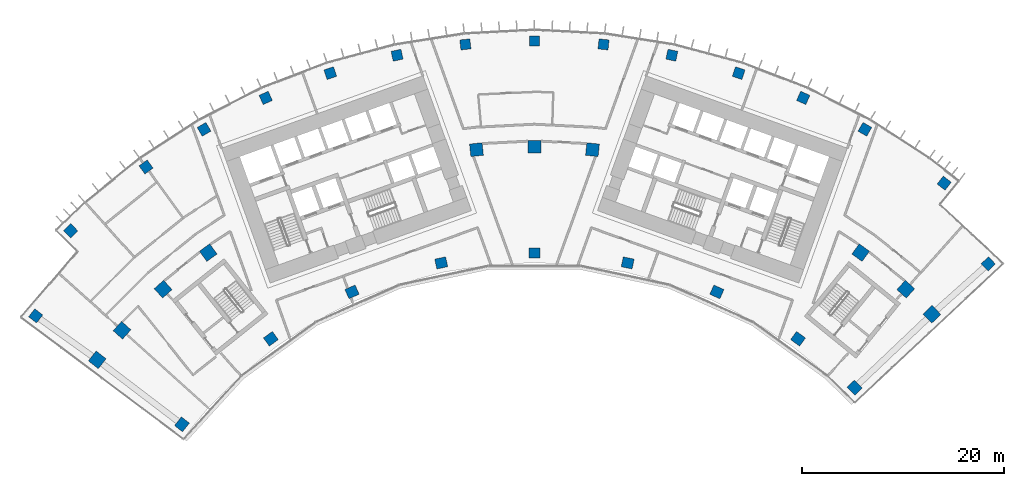
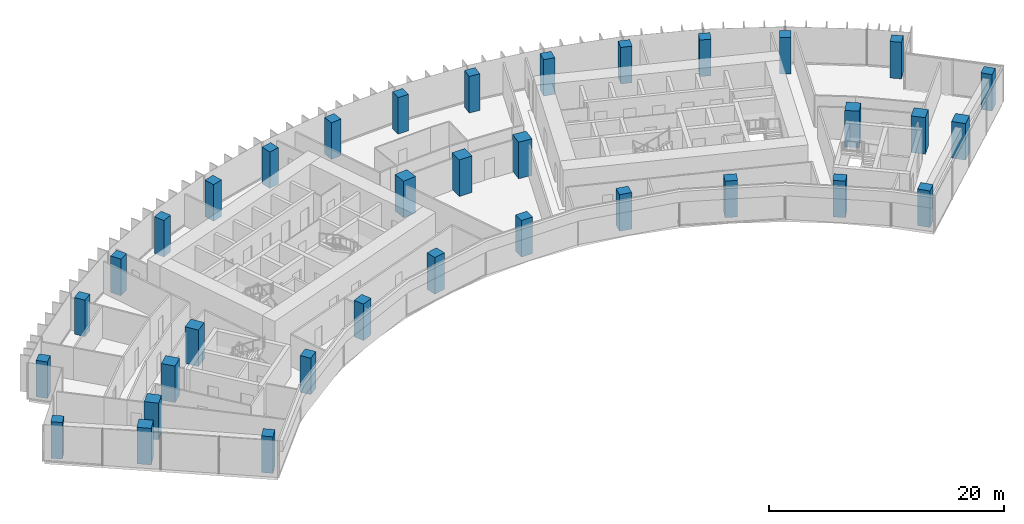
# One storey, part 1 of 21: 35 columns.
"""IFC4 building model written with IfcOpenShell, lengths in metres."""

from ifc_helpers import new_model, si_unit, direction, frame, origin, origin_2d, place, context, subcontext, project, spatial, rectangle, extrude, material, material_profile, profile_set, type_object, element, save


model = new_model("IFC4")

# Units and contexts
model_context = context("Model", 3, precision=1e-05, world=origin(), true_north=direction((0.0, 1.0)))
body_context = subcontext(model_context, "Body", "Model", "MODEL_VIEW")
ifc_project = project(units=[si_unit("LENGTHUNIT", "METRE"), si_unit("AREAUNIT", "SQUARE_METRE"), si_unit("VOLUMEUNIT", "CUBIC_METRE"), si_unit("PLANEANGLEUNIT", "RADIAN"), si_unit("MASSUNIT", "GRAM", prefix="KILO")], contexts=[model_context])

# Site, building, storey
site_placement = place(None, origin())
site = spatial("IfcSite", under=ifc_project, at=site_placement, CompositionType="ELEMENT")
building_placement = place(site_placement, origin())
building = spatial("IfcBuilding", under=site, at=building_placement, Name="Stone Belt Terrace Tower", CompositionType="ELEMENT")
storey_placement = place(building_placement, frame((0.0, 0.0, 189.60009765625)))
storey = spatial("IfcBuildingStorey", under=building, at=storey_placement, Name="L46", CompositionType="ELEMENT", Elevation=189.60009765625)

# Columns
ifc_material = material(Name="Concrete B80", Category="concrete")
ifc_material_profile_1 = material_profile(ifc_material, rectangle(XDim=1.0, YDim=1.0, at=origin_2d()), Name="RC 1000x1000")
ifc_profile_set_1 = profile_set([ifc_material_profile_1], Name="Concrete B80")
column_type_1 = type_object("IfcColumnType", Name="Column RC 1000x1000 B80", PredefinedType="COLUMN", material=ifc_profile_set_1)
for number, where, z_axis, x_axis, name in (
    (1, (-49.432861328125, 38.226318359375, 0.0), (0.0, 0.0, 1.0), (0.611730019057, 0.791066611472, 0.0), "Column L46 RA"),
    (2, (44.97705078125, 43.381103515625, 0.0), (0.0, 0.0, 1.0), (0.694221333646, -0.719761585465, 0.0), "Column L46 RB"),
    (3, (-45.95849609375, 46.654296875, 0.0), (0.0, 0.0, 1.0), (0.712398494182, 0.701775167334, 0.0), "Column L46 RNA"),
    (4, (-38.493408203125, 52.981689453125, 0.0), (0.0, 0.0, 1.0), (0.809016994375, 0.587785252292, 0.0), "Column L46 R16"),
    (5, (-32.744384765625, 56.715087890625, 0.0), (0.0, 0.0, 1.0), (0.866025403784, 0.5, 0.0), "Column L46 R17"),
    (6, (-26.63671875, 59.8271484375, 0.0), (0.0, 0.0, 1.0), (0.913545457643, 0.406736643076, 0.0), "Column L46 R18"),
    (7, (-20.2373046875, 62.28369140625, 0.0), (0.0, 0.0, 1.0), (0.951056516295, 0.309016994375, 0.0), "Column L46 R19"),
    (8, (-13.615966796875, 64.057861328125, 0.0), (0.0, 0.0, 1.0), (0.978147600734, 0.207911690818, 0.0), "Column L46 R20"),
    (9, (-6.845458984375, 65.130126953125, 0.0), (0.0, 0.0, 1.0), (0.994521895368, 0.104528463268, 0.0), "Column L46 R21"),
    (10, (0.0, 65.489013671875, 0.0), (0.0, 0.0, 1.0), (1.0, 0.0, 0.0), "Column L46 R22"),
    (11, (6.845458984375, 65.130126953125, 0.0), (0.0, 0.0, 1.0), (0.994521895368, -0.104528463268, 0.0), "Column L46 R23"),
    (12, (13.615966796875, 64.057861328125, 0.0), (0.0, 0.0, 1.0), (0.978147600734, -0.207911690818, 0.0), "Column L46 R24"),
    (13, (20.2373046875, 62.28369140625, 0.0), (0.0, 0.0, 1.0), (0.951056516295, -0.309016994375, 0.0), "Column L46 R25"),
    (14, (26.63671875, 59.8271484375, 0.0), (0.0, 0.0, 1.0), (0.913545457643, -0.406736643076, 0.0), "Column L46 R26"),
    (15, (32.744384765625, 56.715087890625, 0.0), (0.0, 0.0, 1.0), (0.866025403784, -0.5, 0.0), "Column L46 R27"),
    (16, (40.605712890625, 51.380615234375, 0.0), (0.0, 0.0, 1.0), (0.784569718703, -0.620040608746, 0.0), "Column L46 RNB"),
):
    element("IfcColumn", number, at=place(storey_placement, frame(where, z_axis=z_axis, x_axis=x_axis)), inside=storey, type_object=column_type_1, Name=name, PredefinedType="COLUMN", context=body_context, shape_type="SweptSolid", body=[
        extrude(rectangle(XDim=1.0, YDim=1.0, at=origin_2d()), origin(), (0.0, 0.0, 1.0), 3.7998046875),
    ])
ifc_material_profile_2 = material_profile(ifc_material, rectangle(XDim=1.10009765625, YDim=1.0, at=origin_2d()), Name="RC 1100x1000")
ifc_profile_set_2 = profile_set([ifc_material_profile_2], Name="Concrete B80")
column_type_2 = type_object("IfcColumnType", Name="Column RC 1100x1000 B80", PredefinedType="COLUMN", material=ifc_profile_set_2)
for number, where, z_axis, x_axis, name in (
    (17, (-34.93408203125, 27.476806640625, 0.0), (0.0, 0.0, 1.0), (0.618217727677, 0.786006896399, 0.0), "Column L46 PA"),
    (18, (-26.1240234375, 35.956787109375, 0.0), (0.0, 0.0, 1.0), (0.809016994375, 0.587785252292, 0.0), "Column L46 P16"),
    (19, (-18.077392578125, 40.6025390625, 0.0), (0.0, 0.0, 1.0), (0.913545457643, 0.406736643076, 0.0), "Column L46 P18"),
    (20, (-9.240478515625, 43.473876953125, 0.0), (0.0, 0.0, 1.0), (0.978147600734, 0.207911690818, 0.0), "Column L46 P20"),
    (21, (0.0, 44.445068359375, 0.0), (0.0, 0.0, 1.0), (1.0, 0.0, 0.0), "Column L46 P22"),
    (22, (9.240478515625, 43.473876953125, 0.0), (0.0, 0.0, 1.0), (0.978147600734, -0.207911690818, 0.0), "Column L46 P24"),
    (23, (18.077392578125, 40.6025390625, 0.0), (0.0, 0.0, 1.0), (0.913545457643, -0.406736643076, 0.0), "Column L46 P26"),
    (24, (26.1240234375, 35.956787109375, 0.0), (0.0, 0.0, 1.0), (0.809016994375, -0.587785252292, 0.0), "Column L46 P28"),
    (25, (31.73486328125, 31.11669921875, 0.0), (0.0, 0.0, 1.0), (0.700119596097, -0.714025595592, 0.0), "Column L46 PB"),
):
    element("IfcColumn", number, at=place(storey_placement, frame(where, z_axis=z_axis, x_axis=x_axis)), inside=storey, type_object=column_type_2, Name=name, PredefinedType="COLUMN", context=body_context, shape_type="SweptSolid", body=[
        extrude(rectangle(XDim=1.10009765625, YDim=1.0, at=origin_2d()), origin(), (0.0, 0.0, 1.0), 3.7998046875),
    ])
ifc_material_profile_3 = material_profile(ifc_material, rectangle(XDim=1.25, YDim=1.25, at=origin_2d()), Name="RC 1250x1250")
ifc_profile_set_3 = profile_set([ifc_material_profile_3], Name="Concrete B80")
column_type_3 = type_object("IfcColumnType", Name="Column RC 1250x1250 B80", PredefinedType="COLUMN", material=ifc_profile_set_3)
for number, where, z_axis, x_axis, name in (
    (26, (-43.33349609375, 33.870361328125, 0.0), (0.0, 0.0, 1.0), (0.615825127294, 0.787882867306, 0.0), "Column L46 QA"),
    (27, (-40.873046875, 36.80224609375, 0.0), (0.0, 0.0, 1.0), (0.669130606359, 0.743144825477, 0.0), "Column L46 Q14"),
    (28, (-36.80224609375, 40.873046875, 0.0), (0.0, 0.0, 1.0), (0.743144825477, 0.669130606359, 0.0), "Column L46 Q15"),
    (29, (-32.328125, 44.495849609375, 0.0), (0.0, 0.0, 1.0), (0.809016994375, 0.587785252292, 0.0), "Column L46 Q16"),
    (30, (-5.7490234375, 54.69873046875, 0.0), (0.0, 0.0, 1.0), (0.994521895368, 0.104528463268, 0.0), "Column L46 Q21"),
    (31, (0.0, 55.0, 0.0), (0.0, 0.0, 1.0), (1.0, 0.0, 0.0), "Column L46 Q22"),
    (32, (5.7490234375, 54.69873046875, 0.0), (0.0, 0.0, 1.0), (0.994521895368, -0.104528463268, 0.0), "Column L46 Q23"),
    (33, (32.328125, 44.495849609375, 0.0), (0.0, 0.0, 1.0), (0.809016994375, -0.587785252292, 0.0), "Column L46 Q28"),
    (34, (36.80224609375, 40.873046875, 0.0), (0.0, 0.0, 1.0), (0.743144825477, -0.669130606359, 0.0), "Column L46 Q29"),
    (35, (39.38818359375, 38.386962890625, 0.0), (0.0, 0.0, 1.0), (0.697944216238, -0.716152128406, 0.0), "Column L46 QB"),
):
    element("IfcColumn", number, at=place(storey_placement, frame(where, z_axis=z_axis, x_axis=x_axis)), inside=storey, type_object=column_type_3, Name=name, PredefinedType="COLUMN", context=body_context, shape_type="SweptSolid", body=[
        extrude(rectangle(XDim=1.25, YDim=1.25, at=origin_2d()), origin(), (0.0, 0.0, 1.0), 3.7998046875),
    ])

save(model, "model.ifc")
